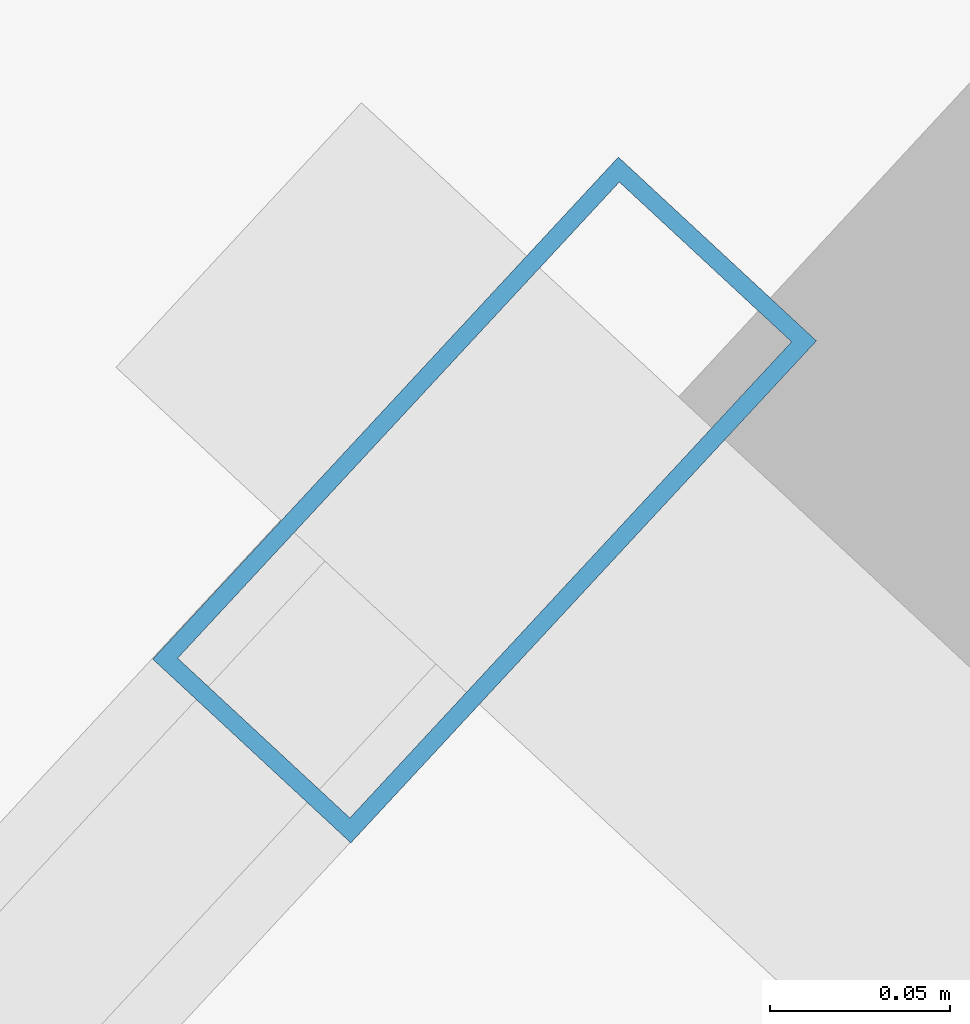
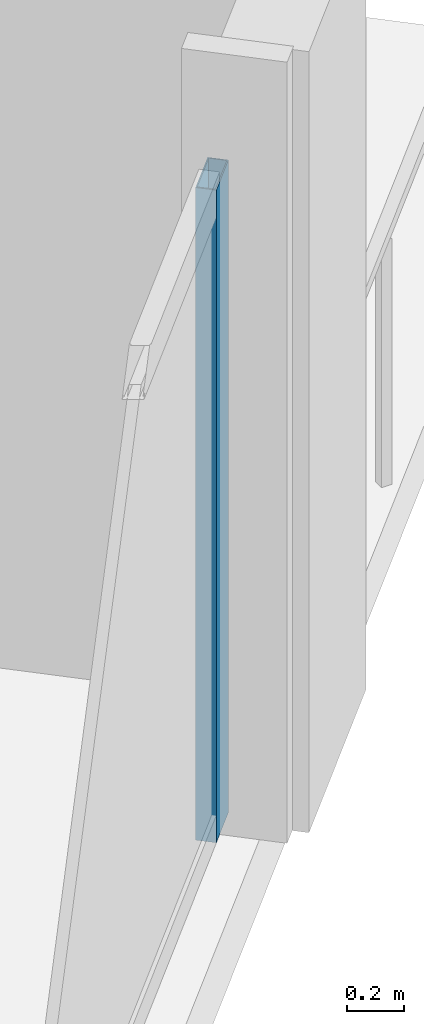
# One storey, part 12 of 32: 1 member, 1 element without a shape of its own.
"""IFC4 building model written with IfcOpenShell, lengths in metres."""

from ifc_helpers import new_model, si_unit, direction, frame, origin, origin_2d, place, context, subcontext, project, spatial, hollow_rectangle, extrude, material, material_profile, profile_set, type_object, element, aggregate, save


model = new_model("IFC4")

# Units and contexts
model_context = context("Model", 3, precision=1e-05, world=origin(), true_north=direction((0.0, 1.0)))
body_context = subcontext(model_context, "Body", "Model", "MODEL_VIEW")
ifc_project = project(units=[si_unit("LENGTHUNIT", "METRE"), si_unit("AREAUNIT", "SQUARE_METRE"), si_unit("VOLUMEUNIT", "CUBIC_METRE"), si_unit("PLANEANGLEUNIT", "RADIAN"), si_unit("MASSUNIT", "GRAM", prefix="KILO")], contexts=[model_context])

# Site, building, storey
site_placement = place(None, origin())
site = spatial("IfcSite", under=ifc_project, at=site_placement, CompositionType="ELEMENT")
building_placement = place(site_placement, origin())
building = spatial("IfcBuilding", under=site, at=building_placement, Name="Haldenkirk Collegiate Tower", CompositionType="ELEMENT")
storey_placement = place(building_placement, frame((0.0, 0.0, 185.699951171875)))
storey = spatial("IfcBuildingStorey", under=building, at=storey_placement, Name="L46", CompositionType="ELEMENT", Elevation=185.699951171875)

# Curtain wall, member
ifc_material = material(Name="Anodised architectural bronze aluminium", Category="aluminium")
curtain_wall_type = type_object("IfcCurtainWallType", Name="CW-SYS2-CONCAVE", PredefinedType="USERDEFINED", material=ifc_material)
curtain_wall_placement = place(storey_placement, origin())
curtain_wall = element("IfcCurtainWall", 1, at=curtain_wall_placement, inside=storey, type_object=curtain_wall_type, Name="L46 South concave recessed bronze-anodised curtain wall", ObjectType="UNITISED CURTAIN WALL", PredefinedType="USERDEFINED")
ifc_material_profile = material_profile(ifc_material, hollow_rectangle(XDim=0.074951171875, YDim=0.18994140625, WallThickness=0.0048828125, at=origin_2d()), Name="CW-MUL-02")
ifc_profile_set = profile_set([ifc_material_profile], Name="Anodised architectural bronze aluminium")
member_type = type_object("IfcMemberType", Name="CW-MUL-02", PredefinedType="MULLION", material=ifc_profile_set)
member_placement = place(storey_placement, frame((66.877197265625, 24.51806640625, 0.0), z_axis=(0.0, 0.0, 1.0), x_axis=(0.733137779244, -0.680080139869, 0.0)))
member = element("IfcMember", 2, at=member_placement, type_object=member_type, Name="CW-02 mullion 1", PredefinedType="MULLION", context=body_context, shape_type="SweptSolid", body=[
    extrude(hollow_rectangle(XDim=0.074951171875, YDim=0.18994140625, WallThickness=0.0048828125, at=origin_2d()), origin(), (0.0, 0.0, 1.0), 2.791015625),
])
aggregate(curtain_wall, [member])

save(model, "model.ifc")
